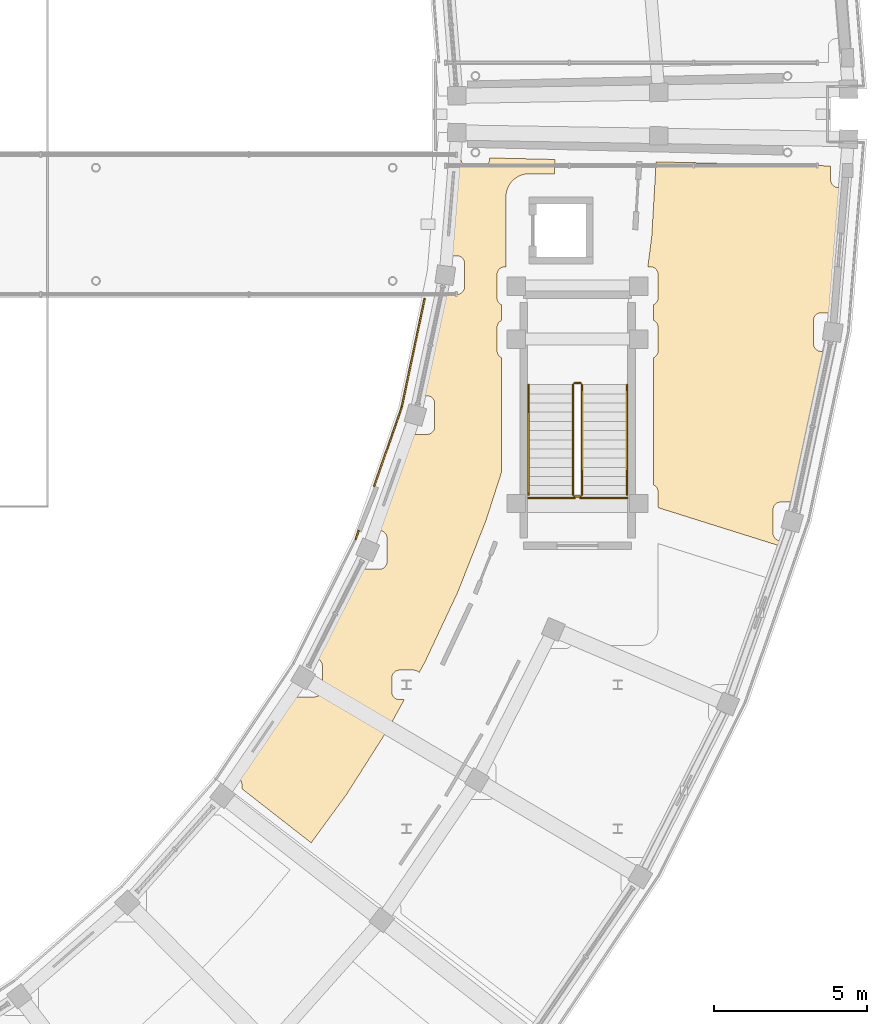
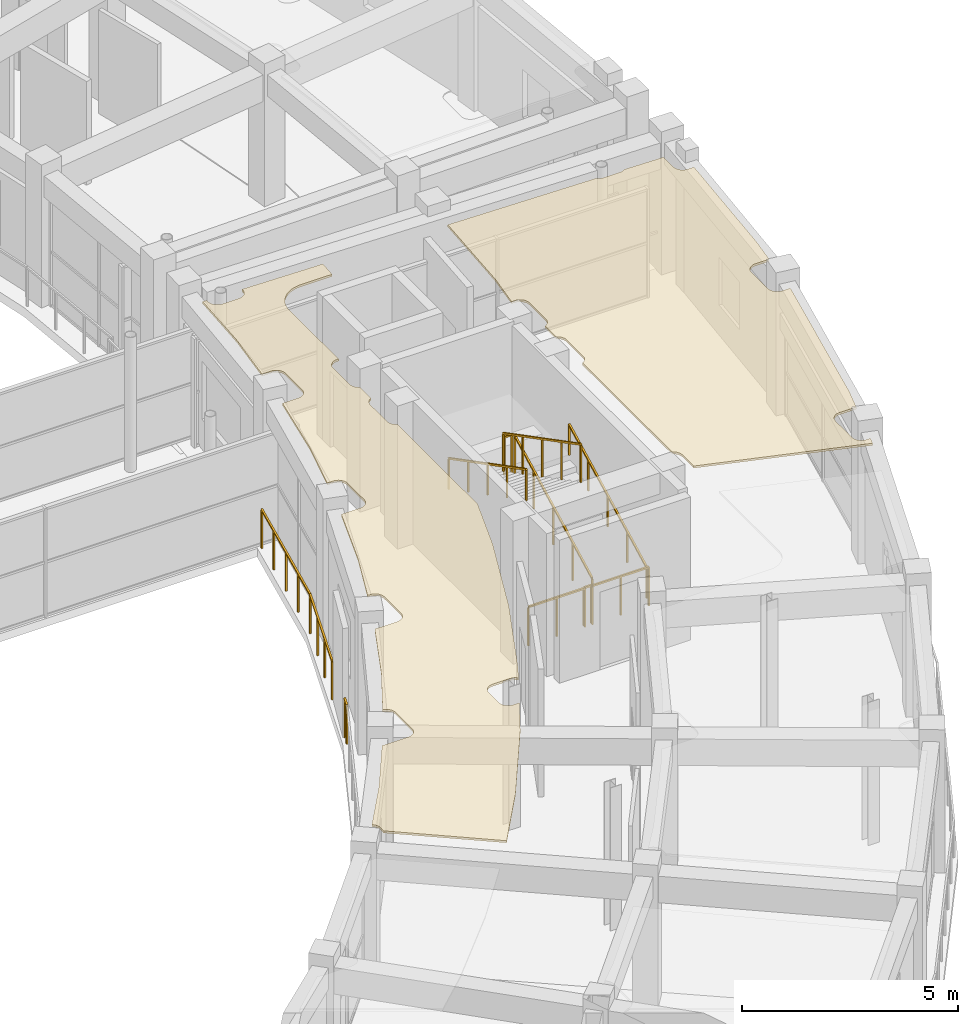
# One storey, part 65 of 72: 11 railings, 2 coverings.
"""IFC4 building model written with IfcOpenShell, lengths in metres."""

from ifc_helpers import new_model, si_unit, direction, frame, origin, origin_2d, place, context, subcontext, project, spatial, polyline, rectangle, outline, extrude, material, layer, layer_set, type_object, element, save


model = new_model("IFC4")

# Units and contexts
model_context = context("Model", 3, precision=1e-05, world=origin(), true_north=direction((0.0, 1.0)))
body_context = subcontext(model_context, "Body", "Model", "MODEL_VIEW")
ifc_project = project(units=[si_unit("LENGTHUNIT", "METRE"), si_unit("AREAUNIT", "SQUARE_METRE"), si_unit("VOLUMEUNIT", "CUBIC_METRE"), si_unit("PLANEANGLEUNIT", "RADIAN"), si_unit("MASSUNIT", "GRAM", prefix="KILO")], contexts=[model_context])

# Site, building, storey
site_placement = place(None, origin())
site = spatial("IfcSite", under=ifc_project, at=site_placement, CompositionType="ELEMENT")
building_placement = place(site_placement, origin())
building = spatial("IfcBuilding", under=site, at=building_placement, Name="Saryqyr Civic Hall", CompositionType="ELEMENT")
storey_placement = place(building_placement, frame((0.0, 0.0, 17.25)))
storey = spatial("IfcBuildingStorey", under=building, at=storey_placement, Name="L04", CompositionType="ELEMENT", Elevation=17.25)

# Coverings
ifc_material_1 = material(Name="Mineral-fibre acoustic ceiling tile", Category="acoustic_tile")
ifc_layer_1 = layer(ifc_material_1, 0.06005859375, Name="Mineral-fibre acoustic ceiling tile")
ifc_layer_set_1 = layer_set([ifc_layer_1], Name="Mineral-fibre acoustic ceiling tile")
covering_type = type_object("IfcCoveringType", Name="INT-COV-CEIL-60", PredefinedType="CEILING", material=ifc_layer_set_1)
covering_1_placement = place(storey_placement, frame((0.0, 0.0, 3.72998046875)))
element("IfcCovering", 1, at=covering_1_placement, inside=storey, type_object=covering_type, Name="Acoustic ceiling Staff & Accessible MGN WC L04-E", PredefinedType="CEILING", context=body_context, shape_type="SweptSolid", body=[
    extrude(outline(polyline([(99.706298828125, 82.443359375), (103.612548828125, 82.351318359375), (103.625, 82.340087890625), (103.64453125, 82.32568359375), (103.665771484375, 82.31298828125), (103.687744140625, 82.302490234375), (103.7109375, 82.294189453125), (103.734619140625, 82.288330078125), (103.759033203125, 82.28466796875), (103.783447265625, 82.283447265625), (104.216552734375, 82.283447265625), (104.240966796875, 82.28466796875), (104.265380859375, 82.288330078125), (104.2890625, 82.294189453125), (104.312255859375, 82.302490234375), (104.334228515625, 82.31298828125), (104.35546875, 82.32568359375), (104.3662109375, 82.33349609375), (105.410400390625, 82.30908203125), (105.410400390625, 81.856689453125), (105.41162109375, 81.832275390625), (105.415283203125, 81.807861328125), (105.42138671875, 81.7841796875), (105.429443359375, 81.760986328125), (105.43994140625, 81.739013671875), (105.45263671875, 81.7177734375), (105.46728515625, 81.697998046875), (105.483642578125, 81.679931640625), (105.501953125, 81.663330078125), (105.521484375, 81.648681640625), (105.542724609375, 81.63623046875), (105.564697265625, 81.625732421875), (105.587890625, 81.617431640625), (105.61181640625, 81.611572265625), (105.635986328125, 81.60791015625), (105.660400390625, 81.606689453125), (105.82080078125, 81.606689453125), (105.56591796875, 78.27001953125), (105.46728515625, 77.510009765625), (105.10009765625, 77.510009765625), (105.075439453125, 77.5087890625), (105.05126953125, 77.505126953125), (105.02734375, 77.499267578125), (105.00439453125, 77.490966796875), (104.982177734375, 77.48046875), (104.961181640625, 77.468017578125), (104.94140625, 77.453369140625), (104.923095703125, 77.436767578125), (104.90673828125, 77.418701171875), (104.89208984375, 77.39892578125), (104.87939453125, 77.377685546875), (104.868896484375, 77.355712890625), (104.86083984375, 77.33251953125), (104.854736328125, 77.308837890625), (104.851318359375, 77.284423828125), (104.85009765625, 77.260009765625), (104.85009765625, 76.5), (104.851318359375, 76.4755859375), (104.854736328125, 76.451171875), (104.86083984375, 76.427490234375), (104.868896484375, 76.404296875), (104.87939453125, 76.382080078125), (104.89208984375, 76.361083984375), (104.90673828125, 76.34130859375), (104.923095703125, 76.3232421875), (104.94140625, 76.306640625), (104.961181640625, 76.2919921875), (104.982177734375, 76.279541015625), (105.00439453125, 76.26904296875), (105.02734375, 76.2607421875), (105.05126953125, 76.2548828125), (105.075439453125, 76.251220703125), (105.10009765625, 76.25), (105.3037109375, 76.25), (105.293701171875, 76.173828125), (104.4033203125, 71.953369140625), (104.228515625, 71.3212890625), (103.778076171875, 71.3212890625), (103.75341796875, 71.320068359375), (103.729248046875, 71.31640625), (103.705322265625, 71.310302734375), (103.682373046875, 71.30224609375), (103.66015625, 71.291748046875), (103.63916015625, 71.279052734375), (103.619384765625, 71.264404296875), (103.601318359375, 71.248046875), (103.584716796875, 71.229736328125), (103.570068359375, 71.210205078125), (103.5576171875, 71.18896484375), (103.547119140625, 71.1669921875), (103.538818359375, 71.143798828125), (103.53271484375, 71.1201171875), (103.529296875, 71.095703125), (103.528076171875, 71.0712890625), (103.528076171875, 70.311279296875), (103.529296875, 70.28662109375), (103.53271484375, 70.262451171875), (103.538818359375, 70.238525390625), (103.547119140625, 70.215576171875), (103.5576171875, 70.193359375), (103.570068359375, 70.17236328125), (103.584716796875, 70.152587890625), (103.601318359375, 70.134521484375), (103.619384765625, 70.117919921875), (103.63916015625, 70.103271484375), (103.66015625, 70.0908203125), (103.682373046875, 70.080078125), (103.705322265625, 70.072021484375), (103.729248046875, 70.06591796875), (103.75341796875, 70.0625), (103.778076171875, 70.061279296875), (103.88037109375, 70.061279296875), (103.825927734375, 69.86474609375), (99.77001953125, 71.14013671875), (99.77001953125, 71.655029296875), (99.768798828125, 71.679443359375), (99.76513671875, 71.703857421875), (99.75927734375, 71.7275390625), (99.7509765625, 71.750732421875), (99.740478515625, 71.772705078125), (99.727783203125, 71.7939453125), (99.71337890625, 71.813720703125), (99.69677734375, 71.831787109375), (99.6787109375, 71.848388671875), (99.658935546875, 71.86279296875), (99.6376953125, 71.87548828125), (99.6201171875, 71.8837890625), (99.6201171875, 76.041015625), (99.6376953125, 76.049560546875), (99.658935546875, 76.06201171875), (99.6787109375, 76.07666015625), (99.69677734375, 76.09326171875), (99.71337890625, 76.111328125), (99.727783203125, 76.131103515625), (99.740478515625, 76.152099609375), (99.7509765625, 76.17431640625), (99.75927734375, 76.197509765625), (99.76513671875, 76.22119140625), (99.768798828125, 76.24560546875), (99.77001953125, 76.27001953125), (99.77001953125, 77.030029296875), (99.768798828125, 77.054443359375), (99.76513671875, 77.078857421875), (99.75927734375, 77.1025390625), (99.7509765625, 77.125732421875), (99.740478515625, 77.147705078125), (99.727783203125, 77.1689453125), (99.71337890625, 77.188720703125), (99.69677734375, 77.206787109375), (99.6787109375, 77.223388671875), (99.658935546875, 77.23779296875), (99.6376953125, 77.25048828125), (99.6201171875, 77.2587890625), (99.6201171875, 77.77099609375), (99.6376953125, 77.779541015625), (99.658935546875, 77.7919921875), (99.6787109375, 77.806640625), (99.69677734375, 77.8232421875), (99.71337890625, 77.84130859375), (99.727783203125, 77.861083984375), (99.740478515625, 77.882080078125), (99.7509765625, 77.904296875), (99.75927734375, 77.927490234375), (99.76513671875, 77.951171875), (99.768798828125, 77.9755859375), (99.77001953125, 78.0), (99.77001953125, 78.760009765625), (99.768798828125, 78.784423828125), (99.76513671875, 78.808837890625), (99.75927734375, 78.83251953125), (99.7509765625, 78.855712890625), (99.740478515625, 78.877685546875), (99.727783203125, 78.89892578125), (99.71337890625, 78.918701171875), (99.69677734375, 78.936767578125), (99.6787109375, 78.953369140625), (99.658935546875, 78.968017578125), (99.6376953125, 78.98046875), (99.61572265625, 78.990966796875), (99.592529296875, 78.999267578125), (99.56884765625, 79.005126953125), (99.54443359375, 79.0087890625), (99.52001953125, 79.010009765625), (99.4345703125, 79.010009765625), (99.5595703125, 79.973388671875), (99.563232421875, 80.011962890625), (99.706298828125, 82.443359375)])), origin(), (0.0, 0.0, 1.0), 0.06005859375),
])
covering_2_placement = place(storey_placement, frame((0.0, 0.0, 3.72998046875)))
element("IfcCovering", 2, at=covering_2_placement, inside=storey, type_object=covering_type, Name="Acoustic ceiling Records & Legislative Clerks' Office", PredefinedType="CEILING", context=body_context, shape_type="SweptSolid", body=[
    extrude(outline(polyline([(91.956787109375, 65.7568359375), (91.938720703125, 65.773193359375), (91.9189453125, 65.787841796875), (91.897705078125, 65.800537109375), (91.875732421875, 65.81103515625), (91.8525390625, 65.819091796875), (91.828857421875, 65.8251953125), (91.804443359375, 65.828857421875), (91.780029296875, 65.830078125), (91.320068359375, 65.830078125), (91.29541015625, 65.828857421875), (91.271240234375, 65.8251953125), (91.247314453125, 65.819091796875), (91.224365234375, 65.81103515625), (91.2021484375, 65.800537109375), (91.18115234375, 65.787841796875), (91.161376953125, 65.773193359375), (91.143310546875, 65.7568359375), (91.126708984375, 65.738525390625), (91.112060546875, 65.718994140625), (91.099609375, 65.69775390625), (91.089111328125, 65.67578125), (91.080810546875, 65.652587890625), (91.07470703125, 65.62890625), (91.0712890625, 65.6044921875), (91.070068359375, 65.580078125), (91.070068359375, 65.1201171875), (91.0712890625, 65.095458984375), (91.07470703125, 65.0712890625), (91.080810546875, 65.04736328125), (91.089111328125, 65.0244140625), (91.099609375, 65.002197265625), (91.112060546875, 64.981201171875), (91.126708984375, 64.96142578125), (91.143310546875, 64.943115234375), (91.161376953125, 64.9267578125), (91.18115234375, 64.912109375), (91.2021484375, 64.8994140625), (91.224365234375, 64.888916015625), (91.247314453125, 64.880859375), (91.271240234375, 64.874755859375), (91.29541015625, 64.87109375), (91.320068359375, 64.8701171875), (91.478271484375, 64.8701171875), (90.9384765625, 63.888916015625), (89.58447265625, 61.761962890625), (88.433837890625, 60.186279296875), (86.165771484375, 61.956787109375), (86.165771484375, 62.10546875), (86.16455078125, 62.1298828125), (86.160888671875, 62.154296875), (86.15478515625, 62.177978515625), (86.146728515625, 62.201171875), (86.13623046875, 62.223388671875), (86.12353515625, 62.244384765625), (86.10888671875, 62.26416015625), (86.092529296875, 62.2822265625), (86.07421875, 62.298828125), (86.0546875, 62.3134765625), (86.052734375, 62.314453125), (86.947998046875, 63.5400390625), (86.9677734375, 63.569091796875), (87.8525390625, 64.958984375), (88.548583984375, 64.958984375), (88.572998046875, 64.960205078125), (88.597412109375, 64.9638671875), (88.62109375, 64.9697265625), (88.644287109375, 64.97802734375), (88.666259765625, 64.988525390625), (88.6875, 65.001220703125), (88.70703125, 65.015625), (88.725341796875, 65.0322265625), (88.74169921875, 65.05029296875), (88.75634765625, 65.070068359375), (88.76904296875, 65.09130859375), (88.779541015625, 65.11328125), (88.78759765625, 65.136474609375), (88.793701171875, 65.16015625), (88.79736328125, 65.1845703125), (88.798583984375, 65.208984375), (88.798583984375, 65.968994140625), (88.79736328125, 65.993408203125), (88.793701171875, 66.017822265625), (88.78759765625, 66.04150390625), (88.779541015625, 66.064697265625), (88.76904296875, 66.0869140625), (88.75634765625, 66.10791015625), (88.74169921875, 66.127685546875), (88.725341796875, 66.145751953125), (88.70703125, 66.162353515625), (88.6875, 66.177001953125), (88.666259765625, 66.189453125), (88.644287109375, 66.199951171875), (88.62109375, 66.208251953125), (88.597412109375, 66.214111328125), (88.59130859375, 66.215087890625), (89.312255859375, 67.525390625), (89.328125, 67.556640625), (90.06689453125, 69.129638671875), (90.661376953125, 69.129638671875), (90.685791015625, 69.130859375), (90.710205078125, 69.134521484375), (90.73388671875, 69.140380859375), (90.757080078125, 69.148681640625), (90.779296875, 69.1591796875), (90.80029296875, 69.171630859375), (90.820068359375, 69.186279296875), (90.838134765625, 69.202880859375), (90.854736328125, 69.220947265625), (90.869384765625, 69.24072265625), (90.8818359375, 69.26171875), (90.892333984375, 69.283935546875), (90.900634765625, 69.306884765625), (90.906494140625, 69.330810546875), (90.91015625, 69.35498046875), (90.911376953125, 69.379638671875), (90.911376953125, 70.1396484375), (90.91015625, 70.1640625), (90.906494140625, 70.1884765625), (90.900634765625, 70.212158203125), (90.892333984375, 70.2353515625), (90.8818359375, 70.25732421875), (90.869384765625, 70.278564453125), (90.854736328125, 70.298095703125), (90.838134765625, 70.31640625), (90.820068359375, 70.3330078125), (90.80029296875, 70.347412109375), (90.779296875, 70.360107421875), (90.757080078125, 70.37060546875), (90.73388671875, 70.37890625), (90.710205078125, 70.384765625), (90.685791015625, 70.388427734375), (90.661376953125, 70.3896484375), (90.6015625, 70.3896484375), (91.14892578125, 71.779541015625), (91.160888671875, 71.8125), (91.7158203125, 73.537841796875), (92.21923828125, 73.537841796875), (92.24365234375, 73.5390625), (92.26806640625, 73.54248046875), (92.291748046875, 73.548583984375), (92.31494140625, 73.556884765625), (92.3369140625, 73.5673828125), (92.358154296875, 73.579833984375), (92.377685546875, 73.594482421875), (92.39599609375, 73.611083984375), (92.41259765625, 73.629150390625), (92.427001953125, 73.64892578125), (92.439697265625, 73.669921875), (92.4501953125, 73.692138671875), (92.45849609375, 73.715087890625), (92.46435546875, 73.739013671875), (92.468017578125, 73.76318359375), (92.46923828125, 73.787841796875), (92.46923828125, 74.5478515625), (92.468017578125, 74.572265625), (92.46435546875, 74.5966796875), (92.45849609375, 74.620361328125), (92.4501953125, 74.6435546875), (92.439697265625, 74.66552734375), (92.427001953125, 74.686767578125), (92.41259765625, 74.706298828125), (92.39599609375, 74.724609375), (92.377685546875, 74.7412109375), (92.358154296875, 74.755615234375), (92.3369140625, 74.768310546875), (92.31494140625, 74.77880859375), (92.291748046875, 74.787109375), (92.26806640625, 74.79296875), (92.24365234375, 74.796630859375), (92.21923828125, 74.7978515625), (92.06591796875, 74.7978515625), (92.428466796875, 76.233154296875), (92.435791015625, 76.267333984375), (92.777587890625, 78.10986328125), (93.19580078125, 78.10986328125), (93.22021484375, 78.111083984375), (93.24462890625, 78.11474609375), (93.268310546875, 78.12060546875), (93.29150390625, 78.12890625), (93.313720703125, 78.139404296875), (93.334716796875, 78.152099609375), (93.3544921875, 78.16650390625), (93.37255859375, 78.18310546875), (93.38916015625, 78.201416015625), (93.40380859375, 78.220947265625), (93.416259765625, 78.2421875), (93.4267578125, 78.26416015625), (93.43505859375, 78.287353515625), (93.44091796875, 78.31103515625), (93.444580078125, 78.33544921875), (93.44580078125, 78.35986328125), (93.44580078125, 79.119873046875), (93.444580078125, 79.144287109375), (93.44091796875, 79.168701171875), (93.43505859375, 79.1923828125), (93.4267578125, 79.215576171875), (93.416259765625, 79.23779296875), (93.40380859375, 79.2587890625), (93.38916015625, 79.278564453125), (93.37255859375, 79.296630859375), (93.3544921875, 79.313232421875), (93.334716796875, 79.327880859375), (93.313720703125, 79.34033203125), (93.29150390625, 79.350830078125), (93.268310546875, 79.359130859375), (93.24462890625, 79.364990234375), (93.22021484375, 79.36865234375), (93.19580078125, 79.369873046875), (92.956298828125, 79.369873046875), (93.12939453125, 80.8134765625), (93.132568359375, 80.848388671875), (93.229736328125, 82.595947265625), (93.33349609375, 82.593505859375), (93.33349609375, 82.533447265625), (93.334716796875, 82.509033203125), (93.33837890625, 82.484619140625), (93.34423828125, 82.4609375), (93.3525390625, 82.437744140625), (93.363037109375, 82.415771484375), (93.37548828125, 82.39453125), (93.39013671875, 82.375), (93.40673828125, 82.356689453125), (93.4248046875, 82.340087890625), (93.444580078125, 82.32568359375), (93.4658203125, 82.31298828125), (93.48779296875, 82.302490234375), (93.510986328125, 82.294189453125), (93.53466796875, 82.288330078125), (93.55908203125, 82.28466796875), (93.58349609375, 82.283447265625), (94.0166015625, 82.283447265625), (94.041015625, 82.28466796875), (94.065185546875, 82.288330078125), (94.089111328125, 82.294189453125), (94.1123046875, 82.302490234375), (94.13427734375, 82.31298828125), (94.155517578125, 82.32568359375), (94.175048828125, 82.340087890625), (94.193359375, 82.356689453125), (94.209716796875, 82.375), (94.224365234375, 82.39453125), (94.237060546875, 82.415771484375), (94.24755859375, 82.437744140625), (94.255615234375, 82.4609375), (94.26171875, 82.484619140625), (94.265380859375, 82.509033203125), (94.2666015625, 82.533447265625), (94.2666015625, 82.571533203125), (96.408203125, 82.52099609375), (96.382080078125, 82.050048828125), (95.550048828125, 82.050048828125), (95.530517578125, 82.049560546875), (95.49609375, 82.0478515625), (95.45703125, 82.0439453125), (95.423095703125, 82.038818359375), (95.384521484375, 82.03125), (95.351318359375, 82.02294921875), (95.313720703125, 82.011474609375), (95.28125, 82.0), (95.2451171875, 81.985107421875), (95.214111328125, 81.97021484375), (95.179443359375, 81.951904296875), (95.14990234375, 81.93408203125), (95.1171875, 81.912353515625), (95.089599609375, 81.891845703125), (95.059326171875, 81.866943359375), (95.033935546875, 81.843994140625), (95.006103515625, 81.816162109375), (94.983154296875, 81.790771484375), (94.958251953125, 81.76025390625), (94.937744140625, 81.732666015625), (94.916015625, 81.7001953125), (94.898193359375, 81.670654296875), (94.879638671875, 81.635986328125), (94.864990234375, 81.60498046875), (94.85009765625, 81.568603515625), (94.83837890625, 81.536376953125), (94.8271484375, 81.498779296875), (94.818603515625, 81.465576171875), (94.81103515625, 81.427001953125), (94.805908203125, 81.39306640625), (94.80224609375, 81.35400390625), (94.800537109375, 81.319580078125), (94.800048828125, 81.300048828125), (94.800048828125, 79.10009765625), (94.800537109375, 79.080322265625), (94.80224609375, 79.046142578125), (94.8056640625, 79.010009765625), (94.760009765625, 79.010009765625), (94.735595703125, 79.0087890625), (94.711181640625, 79.005126953125), (94.6875, 78.999267578125), (94.664306640625, 78.990966796875), (94.64208984375, 78.98046875), (94.62109375, 78.968017578125), (94.601318359375, 78.953369140625), (94.583251953125, 78.936767578125), (94.566650390625, 78.918701171875), (94.552001953125, 78.89892578125), (94.53955078125, 78.877685546875), (94.529052734375, 78.855712890625), (94.520751953125, 78.83251953125), (94.514892578125, 78.808837890625), (94.51123046875, 78.784423828125), (94.510009765625, 78.760009765625), (94.510009765625, 78.0), (94.51123046875, 77.9755859375), (94.514892578125, 77.951171875), (94.520751953125, 77.927490234375), (94.529052734375, 77.904296875), (94.53955078125, 77.882080078125), (94.552001953125, 77.861083984375), (94.566650390625, 77.84130859375), (94.583251953125, 77.8232421875), (94.601318359375, 77.806640625), (94.62109375, 77.7919921875), (94.64208984375, 77.779541015625), (94.659912109375, 77.77099609375), (94.659912109375, 77.2587890625), (94.64208984375, 77.25048828125), (94.62109375, 77.23779296875), (94.601318359375, 77.223388671875), (94.583251953125, 77.206787109375), (94.566650390625, 77.188720703125), (94.552001953125, 77.1689453125), (94.53955078125, 77.147705078125), (94.529052734375, 77.125732421875), (94.520751953125, 77.1025390625), (94.514892578125, 77.078857421875), (94.51123046875, 77.054443359375), (94.510009765625, 77.030029296875), (94.510009765625, 76.27001953125), (94.51123046875, 76.24560546875), (94.514892578125, 76.22119140625), (94.520751953125, 76.197509765625), (94.529052734375, 76.17431640625), (94.53955078125, 76.152099609375), (94.552001953125, 76.131103515625), (94.566650390625, 76.111328125), (94.583251953125, 76.09326171875), (94.601318359375, 76.07666015625), (94.62109375, 76.06201171875), (94.64208984375, 76.049560546875), (94.659912109375, 76.041015625), (94.659912109375, 72.313232421875), (94.1494140625, 70.72607421875), (93.2255859375, 68.380126953125), (92.15380859375, 66.097900390625), (91.962646484375, 65.750244140625), (91.956787109375, 65.7568359375)])), origin(), (0.0, 0.0, 1.0), 0.06005859375),
])

# Railings
ifc_material_2 = material(Name="Warm brushed brass and laminated glass", Category="glass")
ifc_layer_2 = layer(ifc_material_2, 0.06005859375, Name="Warm brushed brass and laminated glass")
ifc_layer_set_2 = layer_set([ifc_layer_2], Name="Warm brushed brass and laminated glass")
railing_type_1 = type_object("IfcRailingType", Name="INT-RLG-BAL-1100", PredefinedType="BALUSTRADE", material=ifc_layer_set_2)
railing_1_placement = place(storey_placement, frame((97.2900390625, 71.56005859375, 0.15576171875)))
element("IfcRailing", 3, at=railing_1_placement, inside=storey, type_object=railing_type_1, Name="L04 ST-5 stair guard 1", PredefinedType="BALUSTRADE", context=body_context, shape_type="SweptSolid", body=[
    extrude(rectangle(XDim=0.048095703125, YDim=0.048095703125, at=origin_2d()), frame((0.0, 0.0, 1.076171875), z_axis=(0.0, 0.887497496945, 0.460812535545), x_axis=(-1.0, 0.0, 0.0)), (0.0, 0.0, 1.0), 4.05615234375),
    extrude(rectangle(XDim=0.0419921875, YDim=0.0419921875, at=origin_2d()), origin(), (0.0, 0.0, 1.0), 1.052001953125),
    extrude(rectangle(XDim=0.0419921875, YDim=0.0419921875, at=origin_2d()), frame((0.0, 0.89990234375, 0.46728515625)), (0.0, 0.0, 1.0), 1.052001953125),
    extrude(rectangle(XDim=0.0419921875, YDim=0.0419921875, at=origin_2d()), frame((0.0, 1.7998046875, 0.9345703125)), (0.0, 0.0, 1.0), 1.052001953125),
    extrude(rectangle(XDim=0.0419921875, YDim=0.0419921875, at=origin_2d()), frame((0.0, 2.699951171875, 1.40185546875)), (0.0, 0.0, 1.0), 1.052001953125),
    extrude(rectangle(XDim=0.0419921875, YDim=0.0419921875, at=origin_2d()), frame((0.0, 3.599853515625, 1.869140625)), (0.0, 0.0, 1.0), 1.052001953125),
])
railing_2_placement = place(storey_placement, frame((97.239990234375, 75.2099609375, 2.02490234375)))
element("IfcRailing", 4, at=railing_2_placement, inside=storey, type_object=railing_type_1, Name="L04 ST-5 stair guard 2", PredefinedType="BALUSTRADE", context=body_context, shape_type="SweptSolid", body=[
    extrude(rectangle(XDim=0.048095703125, YDim=0.048095703125, at=origin_2d()), frame((0.0, 0.0, 1.076171875), z_axis=(-1.0, 0.0, 0.0), x_axis=(0.0, -1.0, 0.0)), (0.0, 0.0, 1.0), 0.199951171875),
    extrude(rectangle(XDim=0.0419921875, YDim=0.0419921875, at=origin_2d()), origin(), (0.0, 0.0, 1.0), 1.052001953125),
    extrude(rectangle(XDim=0.0419921875, YDim=0.0419921875, at=origin_2d()), frame((-0.199951171875, 0.0, 0.0)), (0.0, 0.0, 1.0), 1.052001953125),
])
railing_3_placement = place(storey_placement, frame((96.989990234375, 75.159912109375, 2.1806640625)))
element("IfcRailing", 5, at=railing_3_placement, inside=storey, type_object=railing_type_1, Name="L04 ST-5 stair guard 3", PredefinedType="BALUSTRADE", context=body_context, shape_type="SweptSolid", body=[
    extrude(rectangle(XDim=0.048095703125, YDim=0.048095703125, at=origin_2d()), frame((0.0, 0.0, 1.076171875), z_axis=(0.0, -0.887472880572, 0.460859942119), x_axis=(1.0, 0.0, 0.0)), (0.0, 0.0, 1.0), 4.056396484375),
    extrude(rectangle(XDim=0.0419921875, YDim=0.0419921875, at=origin_2d()), origin(), (0.0, 0.0, 1.0), 1.052001953125),
    extrude(rectangle(XDim=0.0419921875, YDim=0.0419921875, at=origin_2d()), frame((0.0, -0.89990234375, 0.46728515625)), (0.0, 0.0, 1.0), 1.052001953125),
    extrude(rectangle(XDim=0.0419921875, YDim=0.0419921875, at=origin_2d()), frame((0.0, -1.7998046875, 0.9345703125)), (0.0, 0.0, 1.0), 1.052001953125),
    extrude(rectangle(XDim=0.0419921875, YDim=0.0419921875, at=origin_2d()), frame((0.0, -2.699951171875, 1.402099609375)), (0.0, 0.0, 1.0), 1.052001953125),
    extrude(rectangle(XDim=0.0419921875, YDim=0.0419921875, at=origin_2d()), frame((0.0, -3.599853515625, 1.869384765625)), (0.0, 0.0, 1.0), 1.052001953125),
])
railing_4_placement = place(storey_placement, frame((97.239990234375, 71.510009765625, 0.0)))
element("IfcRailing", 6, at=railing_4_placement, inside=storey, type_object=railing_type_1, Name="L04 ST-5 stair guard 4", PredefinedType="BALUSTRADE", context=body_context, shape_type="SweptSolid", body=[
    extrude(rectangle(XDim=0.048095703125, YDim=0.048095703125, at=origin_2d()), frame((0.0, 0.0, 1.076171875), z_axis=(-1.0, 0.0, 0.0), x_axis=(0.0, -1.0, 0.0)), (0.0, 0.0, 1.0), 0.199951171875),
    extrude(rectangle(XDim=0.0419921875, YDim=0.0419921875, at=origin_2d()), origin(), (0.0, 0.0, 1.0), 1.052001953125),
    extrude(rectangle(XDim=0.0419921875, YDim=0.0419921875, at=origin_2d()), frame((-0.199951171875, 0.0, 0.0)), (0.0, 0.0, 1.0), 1.052001953125),
])
railing_5_placement = place(storey_placement, frame((89.891357421875, 70.11962890625, 0.0)))
element("IfcRailing", 7, at=railing_5_placement, inside=storey, type_object=railing_type_1, Name="Interior deck safety balustrade L04-079", PredefinedType="BALUSTRADE", context=body_context, shape_type="SweptSolid", body=[
    extrude(rectangle(XDim=0.048095703125, YDim=0.048095703125, at=origin_2d()), frame((0.0, 0.0, 1.09619140625), z_axis=(0.329111849181, 0.944290946016, 0.0), x_axis=(-0.944290946016, 0.329111849181, 0.0)), (0.0, 0.0, 1.0), 0.272216796875),
    extrude(rectangle(XDim=0.0419921875, YDim=0.0419921875, at=origin_2d()), origin(), (0.0, 0.0, 1.0), 1.072021484375),
    extrude(rectangle(XDim=0.0419921875, YDim=0.0419921875, at=origin_2d()), frame((0.089599609375, 0.257080078125, 0.0)), (0.0, 0.0, 1.0), 1.072021484375),
])
railing_6_placement = place(storey_placement, frame((90.492919921875, 71.844482421875, 0.0)))
element("IfcRailing", 8, at=railing_6_placement, inside=storey, type_object=railing_type_1, Name="Interior deck safety balustrade L04-080", PredefinedType="BALUSTRADE", context=body_context, shape_type="SweptSolid", body=[
    extrude(rectangle(XDim=0.048095703125, YDim=0.048095703125, at=origin_2d()), frame((0.0, 0.0, 1.09619140625), z_axis=(0.329260700576, 0.944239053978, 0.0), x_axis=(-0.944239053978, 0.329260700576, 0.0)), (0.0, 0.0, 1.0), 2.724853515625),
    extrude(rectangle(XDim=0.0419921875, YDim=0.0419921875, at=origin_2d()), origin(), (0.0, 0.0, 1.0), 1.072021484375),
    extrude(rectangle(XDim=0.0419921875, YDim=0.0419921875, at=origin_2d()), frame((0.299072265625, 0.857666015625, 0.0)), (0.0, 0.0, 1.0), 1.072021484375),
    extrude(rectangle(XDim=0.0419921875, YDim=0.0419921875, at=origin_2d()), frame((0.59814453125, 1.71533203125, 0.0)), (0.0, 0.0, 1.0), 1.072021484375),
    extrude(rectangle(XDim=0.0419921875, YDim=0.0419921875, at=origin_2d()), frame((0.897216796875, 2.572998046875, 0.0)), (0.0, 0.0, 1.0), 1.072021484375),
])
railing_7_placement = place(storey_placement, frame((91.39013671875, 74.41748046875, 0.0)))
element("IfcRailing", 9, at=railing_7_placement, inside=storey, type_object=railing_type_1, Name="Interior deck safety balustrade L04-081", PredefinedType="BALUSTRADE", context=body_context, shape_type="SweptSolid", body=[
    extrude(rectangle(XDim=0.048095703125, YDim=0.048095703125, at=origin_2d()), frame((0.0, 0.0, 1.09619140625), z_axis=(0.206479446737, 0.978450938001, 0.0), x_axis=(-0.978450938001, 0.206479446737, 0.0)), (0.0, 0.0, 1.0), 3.62060546875),
    extrude(rectangle(XDim=0.0419921875, YDim=0.0419921875, at=origin_2d()), origin(), (0.0, 0.0, 1.0), 1.072021484375),
    extrude(rectangle(XDim=0.0419921875, YDim=0.0419921875, at=origin_2d()), frame((0.18701171875, 0.8857421875, 0.0)), (0.0, 0.0, 1.0), 1.072021484375),
    extrude(rectangle(XDim=0.0419921875, YDim=0.0419921875, at=origin_2d()), frame((0.373779296875, 1.771240234375, 0.0)), (0.0, 0.0, 1.0), 1.072021484375),
    extrude(rectangle(XDim=0.0419921875, YDim=0.0419921875, at=origin_2d()), frame((0.560546875, 2.65673828125, 0.0)), (0.0, 0.0, 1.0), 1.072021484375),
    extrude(rectangle(XDim=0.0419921875, YDim=0.0419921875, at=origin_2d()), frame((0.74755859375, 3.54248046875, 0.0)), (0.0, 0.0, 1.0), 1.072021484375),
])
railing_8_placement = place(storey_placement, frame((95.52490234375, 71.4599609375, 0.0)))
element("IfcRailing", 10, at=railing_8_placement, inside=storey, type_object=railing_type_1, Name="Interior deck safety balustrade L04-095", PredefinedType="BALUSTRADE", context=body_context, shape_type="SweptSolid", body=[
    extrude(rectangle(XDim=0.048095703125, YDim=0.048095703125, at=origin_2d()), frame((0.0, 0.0, 1.09619140625), z_axis=(1.0, 0.0, 0.0), x_axis=(0.0, 1.0, 0.0)), (0.0, 0.0, 1.0), 1.51513671875),
    extrude(rectangle(XDim=0.0419921875, YDim=0.0419921875, at=origin_2d()), origin(), (0.0, 0.0, 1.0), 1.072021484375),
    extrude(rectangle(XDim=0.0419921875, YDim=0.0419921875, at=origin_2d()), frame((0.757568359375, 0.0, 0.0)), (0.0, 0.0, 1.0), 1.072021484375),
    extrude(rectangle(XDim=0.0419921875, YDim=0.0419921875, at=origin_2d()), frame((1.51513671875, 0.0, 0.0)), (0.0, 0.0, 1.0), 1.072021484375),
])
railing_9_placement = place(storey_placement, frame((97.239990234375, 71.4599609375, 0.0)))
element("IfcRailing", 11, at=railing_9_placement, inside=storey, type_object=railing_type_1, Name="Interior deck safety balustrade L04-096", PredefinedType="BALUSTRADE", context=body_context, shape_type="SweptSolid", body=[
    extrude(rectangle(XDim=0.048095703125, YDim=0.048095703125, at=origin_2d()), frame((0.0, 0.0, 1.09619140625), z_axis=(1.0, 0.0, 0.0), x_axis=(0.0, 1.0, 0.0)), (0.0, 0.0, 1.0), 1.514892578125),
    extrude(rectangle(XDim=0.0419921875, YDim=0.0419921875, at=origin_2d()), origin(), (0.0, 0.0, 1.0), 1.072021484375),
    extrude(rectangle(XDim=0.0419921875, YDim=0.0419921875, at=origin_2d()), frame((0.75732421875, 0.0, 0.0)), (0.0, 0.0, 1.0), 1.072021484375),
    extrude(rectangle(XDim=0.0419921875, YDim=0.0419921875, at=origin_2d()), frame((1.514892578125, 0.0, 0.0)), (0.0, 0.0, 1.0), 1.072021484375),
])
ifc_material_3 = material(Name="Stainless steel", Category="steel")
ifc_layer_3 = layer(ifc_material_3, 0.050048828125, Name="Stainless steel")
ifc_layer_set_3 = layer_set([ifc_layer_3], Name="Stainless steel")
railing_type_2 = type_object("IfcRailingType", Name="INT-RLG-HND-900", PredefinedType="HANDRAIL", material=ifc_layer_set_3)
railing_10_placement = place(storey_placement, frame((98.75, 71.56005859375, 0.15576171875)))
element("IfcRailing", 12, at=railing_10_placement, inside=storey, type_object=railing_type_2, Name="L04 ST-5 stair handrail 1", PredefinedType="HANDRAIL", context=body_context, shape_type="SweptSolid", body=[
    extrude(rectangle(XDim=0.048095703125, YDim=0.048095703125, at=origin_2d()), frame((0.0, 0.0, 0.8759765625), z_axis=(0.0, 0.887497496945, 0.460812535545), x_axis=(-1.0, 0.0, 0.0)), (0.0, 0.0, 1.0), 4.05615234375),
    extrude(rectangle(XDim=0.0419921875, YDim=0.0419921875, at=origin_2d()), origin(), (0.0, 0.0, 1.0), 0.851806640625),
    extrude(rectangle(XDim=0.0419921875, YDim=0.0419921875, at=origin_2d()), frame((0.0, 0.89990234375, 0.46728515625)), (0.0, 0.0, 1.0), 0.851806640625),
    extrude(rectangle(XDim=0.0419921875, YDim=0.0419921875, at=origin_2d()), frame((0.0, 1.7998046875, 0.9345703125)), (0.0, 0.0, 1.0), 0.851806640625),
    extrude(rectangle(XDim=0.0419921875, YDim=0.0419921875, at=origin_2d()), frame((0.0, 2.699951171875, 1.40185546875)), (0.0, 0.0, 1.0), 0.851806640625),
    extrude(rectangle(XDim=0.0419921875, YDim=0.0419921875, at=origin_2d()), frame((0.0, 3.599853515625, 1.869140625)), (0.0, 0.0, 1.0), 0.851806640625),
])
railing_11_placement = place(storey_placement, frame((95.530029296875, 75.159912109375, 2.1806640625)))
element("IfcRailing", 13, at=railing_11_placement, inside=storey, type_object=railing_type_2, Name="L04 ST-5 stair handrail 2", PredefinedType="HANDRAIL", context=body_context, shape_type="SweptSolid", body=[
    extrude(rectangle(XDim=0.048095703125, YDim=0.048095703125, at=origin_2d()), frame((0.0, 0.0, 0.8759765625), z_axis=(0.0, -0.887472880572, 0.460859942119), x_axis=(1.0, 0.0, 0.0)), (0.0, 0.0, 1.0), 4.056396484375),
    extrude(rectangle(XDim=0.0419921875, YDim=0.0419921875, at=origin_2d()), origin(), (0.0, 0.0, 1.0), 0.851806640625),
    extrude(rectangle(XDim=0.0419921875, YDim=0.0419921875, at=origin_2d()), frame((0.0, -0.89990234375, 0.46728515625)), (0.0, 0.0, 1.0), 0.851806640625),
    extrude(rectangle(XDim=0.0419921875, YDim=0.0419921875, at=origin_2d()), frame((0.0, -1.7998046875, 0.9345703125)), (0.0, 0.0, 1.0), 0.851806640625),
    extrude(rectangle(XDim=0.0419921875, YDim=0.0419921875, at=origin_2d()), frame((0.0, -2.699951171875, 1.402099609375)), (0.0, 0.0, 1.0), 0.851806640625),
    extrude(rectangle(XDim=0.0419921875, YDim=0.0419921875, at=origin_2d()), frame((0.0, -3.599853515625, 1.869384765625)), (0.0, 0.0, 1.0), 0.851806640625),
])

save(model, "model.ifc")
